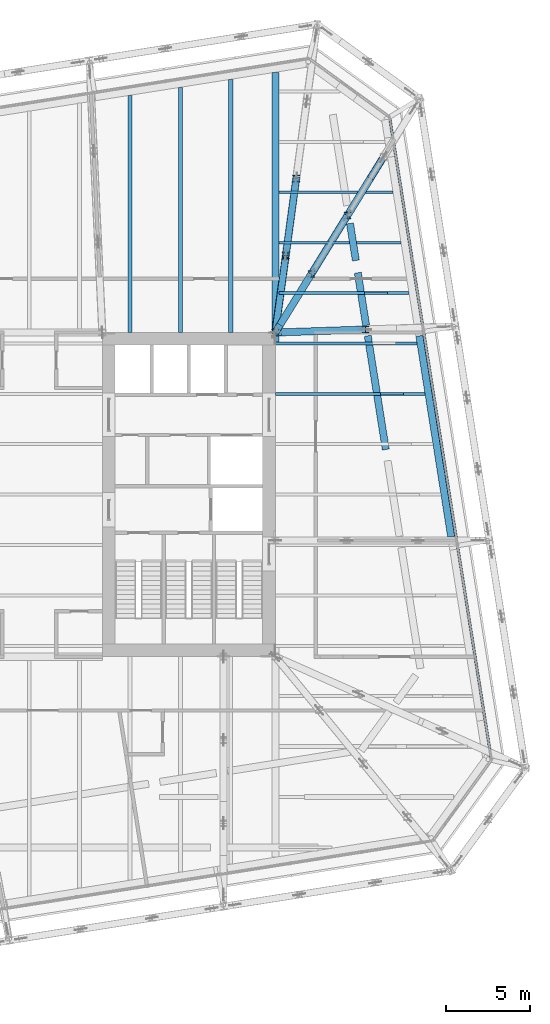
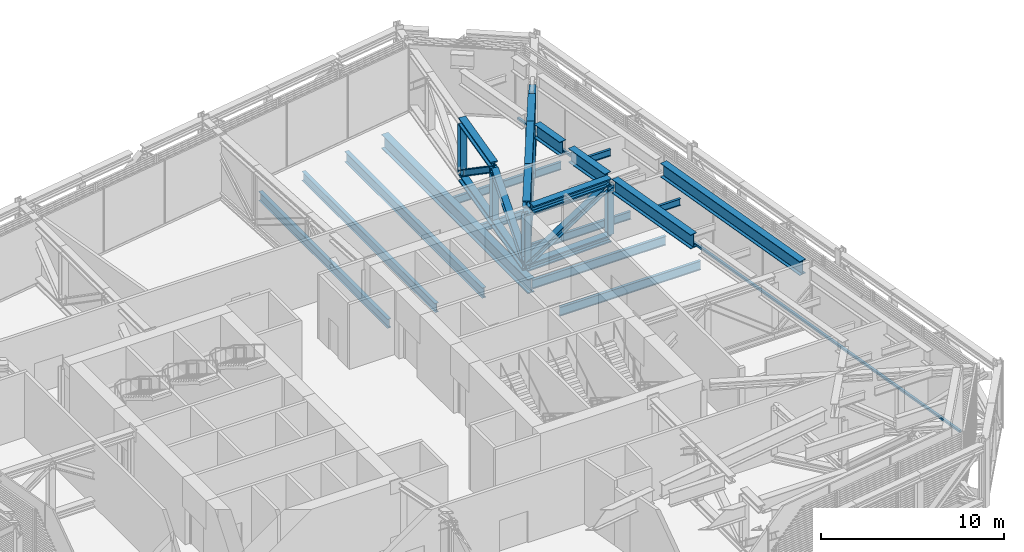
# One storey, part 16 of 31: 26 beams, 13 members, 1 element without a shape of its own.
"""IFC4 building model written with IfcOpenShell, lengths in metres."""

from ifc_helpers import new_model, si_unit, direction, frame, origin, origin_2d, place, context, subcontext, project, spatial, rectangle, i_section, extrude, material, layer, layer_set, material_profile, profile_set, type_object, element, aggregate, save


model = new_model("IFC4")

# Units and contexts
model_context = context("Model", 3, precision=1e-05, world=origin(), true_north=direction((0.0, 1.0)))
body_context = subcontext(model_context, "Body", "Model", "MODEL_VIEW")
ifc_project = project(units=[si_unit("LENGTHUNIT", "METRE"), si_unit("AREAUNIT", "SQUARE_METRE"), si_unit("VOLUMEUNIT", "CUBIC_METRE"), si_unit("PLANEANGLEUNIT", "RADIAN"), si_unit("MASSUNIT", "GRAM", prefix="KILO")], contexts=[model_context])

# Site, building, storey
site_placement = place(None, origin())
site = spatial("IfcSite", under=ifc_project, at=site_placement, CompositionType="ELEMENT")
building_placement = place(site_placement, origin())
building = spatial("IfcBuilding", under=site, at=building_placement, Name="Millrace Tower", CompositionType="ELEMENT")
storey_placement = place(building_placement, frame((0.0, 0.0, 195.60009765625)))
storey = spatial("IfcBuildingStorey", under=building, at=storey_placement, Name="L44", CompositionType="ELEMENT", Elevation=195.60009765625)

# Curtain wall, member
ifc_material_1 = material(Name="Aluminium and glass", Category="aluminium")
ifc_layer = layer(ifc_material_1, 0.14990234375)
ifc_layer_set = layer_set([ifc_layer], Name="Aluminium and glass")
curtain_wall_type = type_object("IfcCurtainWallType", Name="CW-5 truss and plant storey louvred infill", PredefinedType="NOTDEFINED", material=ifc_layer_set)
curtain_wall_placement = place(storey_placement, origin())
curtain_wall = element("IfcCurtainWall", 1, at=curtain_wall_placement, inside=storey, type_object=curtain_wall_type, Name="Curtain wall C-F04 L44", PredefinedType="NOTDEFINED")
ifc_material_2 = material(Name="Aluminium", Category="aluminium")
ifc_material_profile_1 = material_profile(ifc_material_2, rectangle(XDim=0.14990234375, YDim=0.139892578125, at=origin_2d()))
ifc_profile_set_1 = profile_set([ifc_material_profile_1], Name="Aluminium")
member_type_1 = type_object("IfcMemberType", Name="CW-5 truss and plant storey louvred infill transom", PredefinedType="USERDEFINED", material=ifc_profile_set_1)
member_1_placement = place(storey_placement, frame((27.49609375, -15.675048828125, 0.06982421875), z_axis=(-0.156434402447, 0.987688350509, 0.0), x_axis=(-0.987688350509, -0.156434402447, 0.0)))
member_1 = element("IfcMember", 2, at=member_1_placement, type_object=member_type_1, Name="CW5 transom C-F04.1", ObjectType="TRANSOM", PredefinedType="USERDEFINED", context=body_context, shape_type="SweptSolid", body=[
    extrude(rectangle(XDim=0.14990234375, YDim=0.139892578125, at=origin_2d()), origin(), (0.0, 0.0, 1.0), 38.499755859375),
])
aggregate(curtain_wall, [member_1])

# Beams
ifc_material_3 = material(Name="Steel ASTM A992 Grade 50", Category="steel")
ifc_material_profile_2 = material_profile(ifc_material_3, i_section(OverallWidth=0.15234375, OverallDepth=0.449462890625, WebThickness=0.007568359375, FlangeThickness=0.0107421875, FilletRadius=0.01025390625, at=origin_2d()))
ifc_profile_set_2 = profile_set([ifc_material_profile_2], Name="Steel ASTM A992 Grade 50")
beam_type_1 = type_object("IfcBeamType", Name="Floor beam W18x35", PredefinedType="JOIST", material=ifc_profile_set_2)
for number, where, z_axis, x_axis, name in (
    (3, (20.91552734375, 6.0, 4.115234375), (1.0, 0.0, 0.0), (0.0, 1.0, 0.0), "BM-C-L44-R1-S012"),
    (4, (19.96533203125, 12.0, 4.115234375), (1.0, 0.0, 0.0), (0.0, 1.0, 0.0), "BM-C-L44-R1-S014"),
):
    element("IfcBeam", number, at=place(storey_placement, frame(where, z_axis=z_axis, x_axis=x_axis)), inside=storey, type_object=beam_type_1, Name=name, PredefinedType="JOIST", context=body_context, shape_type="SweptSolid", body=[
        extrude(i_section(OverallWidth=0.15234375, OverallDepth=0.449462890625, WebThickness=0.007568359375, FlangeThickness=0.0107421875, FilletRadius=0.01025390625, at=origin_2d()), origin(), (0.0, 0.0, 1.0), 1.3701171875),
    ])
ifc_material_4 = material(Name="Steel ASTM A992 Grade 50", Category="steel")
ifc_material_profile_3 = material_profile(ifc_material_4, i_section(OverallWidth=0.1650390625, OverallDepth=0.52587890625, WebThickness=0.0087890625, FlangeThickness=0.011474609375, FilletRadius=0.0126953125, at=origin_2d()))
ifc_profile_set_3 = profile_set([ifc_material_profile_3], Name="Steel ASTM A992 Grade 50")
beam_type_2 = type_object("IfcBeamType", Name="Floor beam W21x44", PredefinedType="JOIST", material=ifc_profile_set_3)
beam_1_placement = place(storey_placement, frame((14.862060546875, 12.0, -0.512939453125), z_axis=(1.0, 0.0, 0.0), x_axis=(0.0, 1.0, 0.0)))
element("IfcBeam", 5, at=beam_1_placement, inside=storey, type_object=beam_type_2, Name="BM-C-L44-S1-S032", PredefinedType="JOIST", context=body_context, shape_type="SweptSolid", body=[
    extrude(i_section(OverallWidth=0.1650390625, OverallDepth=0.52587890625, WebThickness=0.0087890625, FlangeThickness=0.011474609375, FilletRadius=0.0126953125, at=origin_2d()), origin(), (0.0, 0.0, 1.0), 7.748046875),
])
beam_2_placement = place(storey_placement, frame((14.862060546875, 15.0, -0.512939453125), z_axis=(1.0, 0.0, 0.0), x_axis=(0.0, 1.0, 0.0)))
element("IfcBeam", 6, at=beam_2_placement, inside=storey, type_object=beam_type_2, Name="BM-C-L44-S1-S034", PredefinedType="JOIST", context=body_context, shape_type="SweptSolid", body=[
    extrude(i_section(OverallWidth=0.1650390625, OverallDepth=0.52587890625, WebThickness=0.0087890625, FlangeThickness=0.011474609375, FilletRadius=0.0126953125, at=origin_2d()), origin(), (0.0, 0.0, 1.0), 7.272705078125),
])
beam_3_placement = place(storey_placement, frame((14.862060546875, 18.0, -0.512939453125), z_axis=(1.0, 0.0, 0.0), x_axis=(0.0, 1.0, 0.0)))
element("IfcBeam", 7, at=beam_3_placement, inside=storey, type_object=beam_type_2, Name="BM-C-L44-S1-S036", PredefinedType="JOIST", context=body_context, shape_type="SweptSolid", body=[
    extrude(i_section(OverallWidth=0.1650390625, OverallDepth=0.52587890625, WebThickness=0.0087890625, FlangeThickness=0.011474609375, FilletRadius=0.0126953125, at=origin_2d()), origin(), (0.0, 0.0, 1.0), 6.797607421875),
])
ifc_material_5 = material(Name="Steel ASTM A992 Grade 50", Category="steel")
ifc_material_profile_4 = material_profile(ifc_material_5, i_section(OverallWidth=0.177978515625, OverallDepth=0.599365234375, WebThickness=0.010009765625, FlangeThickness=0.012939453125, FilletRadius=0.012939453125, at=origin_2d()))
ifc_profile_set_4 = profile_set([ifc_material_profile_4], Name="Steel ASTM A992 Grade 50")
beam_type_3 = type_object("IfcBeamType", Name="Floor beam W24x55", PredefinedType="JOIST", material=ifc_profile_set_4)
beam_4_placement = place(storey_placement, frame((14.64990234375, 6.0, -0.5498046875), z_axis=(1.0, 0.0, 0.0), x_axis=(0.0, 1.0, 0.0)))
element("IfcBeam", 8, at=beam_4_placement, inside=storey, type_object=beam_type_3, Name="BM-C-L44-S1-S027", PredefinedType="JOIST", context=body_context, shape_type="SweptSolid", body=[
    extrude(i_section(OverallWidth=0.177978515625, OverallDepth=0.599365234375, WebThickness=0.010009765625, FlangeThickness=0.012939453125, FilletRadius=0.012939453125, at=origin_2d()), origin(), (0.0, 0.0, 1.0), 8.910400390625),
])
beam_5_placement = place(storey_placement, frame((14.64990234375, 9.0, -0.5498046875), z_axis=(1.0, 0.0, 0.0), x_axis=(0.0, 1.0, 0.0)))
element("IfcBeam", 9, at=beam_5_placement, inside=storey, type_object=beam_type_3, Name="BM-C-L44-S1-S030", PredefinedType="JOIST", context=body_context, shape_type="SweptSolid", body=[
    extrude(i_section(OverallWidth=0.177978515625, OverallDepth=0.599365234375, WebThickness=0.010009765625, FlangeThickness=0.012939453125, FilletRadius=0.012939453125, at=origin_2d()), origin(), (0.0, 0.0, 1.0), 8.435302734375),
])
ifc_material_6 = material(Name="Steel ASTM A992 Grade 50", Category="steel")
ifc_material_profile_5 = material_profile(ifc_material_6, i_section(OverallWidth=0.228271484375, OverallDepth=0.607177734375, WebThickness=0.01123046875, FlangeThickness=0.017333984375, FilletRadius=0.0126953125, at=origin_2d()))
ifc_profile_set_5 = profile_set([ifc_material_profile_5], Name="Steel ASTM A992 Grade 50")
beam_type_4 = type_object("IfcBeamType", Name="Floor beam W24x76", PredefinedType="JOIST", material=ifc_profile_set_5)
beam_6_placement = place(storey_placement, frame((6.0, 9.64990234375, -0.5537109375), z_axis=(0.0, 1.0, 0.0), x_axis=(-1.0, 0.0, 0.0)))
element("IfcBeam", 10, at=beam_6_placement, inside=storey, type_object=beam_type_4, Name="BM-C-L44-S1-S051", PredefinedType="JOIST", context=body_context, shape_type="SweptSolid", body=[
    extrude(i_section(OverallWidth=0.228271484375, OverallDepth=0.607177734375, WebThickness=0.01123046875, FlangeThickness=0.017333984375, FilletRadius=0.0126953125, at=origin_2d()), origin(), (0.0, 0.0, 1.0), 14.12646484375),
])
beam_7_placement = place(storey_placement, frame((9.0, 9.64990234375, -0.5537109375), z_axis=(0.0, 1.0, 0.0), x_axis=(-1.0, 0.0, 0.0)))
element("IfcBeam", 11, at=beam_7_placement, inside=storey, type_object=beam_type_4, Name="BM-C-L44-S1-S053", PredefinedType="JOIST", context=body_context, shape_type="SweptSolid", body=[
    extrude(i_section(OverallWidth=0.228271484375, OverallDepth=0.607177734375, WebThickness=0.01123046875, FlangeThickness=0.017333984375, FilletRadius=0.0126953125, at=origin_2d()), origin(), (0.0, 0.0, 1.0), 14.6015625),
])
ifc_material_7 = material(Name="Steel ASTM A992 Grade 50", Category="steel")
ifc_material_profile_6 = material_profile(ifc_material_7, i_section(OverallWidth=0.256591796875, OverallDepth=0.693359375, WebThickness=0.014404296875, FlangeThickness=0.023681640625, FilletRadius=0.01513671875, at=origin_2d()))
ifc_profile_set_6 = profile_set([ifc_material_profile_6], Name="Steel ASTM A992 Grade 50")
beam_type_5 = type_object("IfcBeamType", Name="Floor beam W27x114", PredefinedType="JOIST", material=ifc_profile_set_6)
beam_8_placement = place(storey_placement, frame((12.0, 9.64990234375, -0.596923828125), z_axis=(0.0, 1.0, 0.0), x_axis=(-1.0, 0.0, 0.0)))
element("IfcBeam", 12, at=beam_8_placement, inside=storey, type_object=beam_type_5, Name="BM-C-L44-S1-S055", PredefinedType="JOIST", context=body_context, shape_type="SweptSolid", body=[
    extrude(i_section(OverallWidth=0.256591796875, OverallDepth=0.693359375, WebThickness=0.014404296875, FlangeThickness=0.023681640625, FilletRadius=0.01513671875, at=origin_2d()), origin(), (0.0, 0.0, 1.0), 15.07666015625),
])
ifc_material_8 = material(Name="Steel ASTM A992 Grade 50", Category="steel")
ifc_material_profile_7 = material_profile(ifc_material_8, i_section(OverallWidth=0.424072265625, OverallDepth=0.947509765625, WebThickness=0.02392578125, FlangeThickness=0.042724609375, FilletRadius=0.024169921875, at=origin_2d()))
ifc_profile_set_7 = profile_set([ifc_material_profile_7], Name="Steel ASTM A992 Grade 50")
beam_type_6 = type_object("IfcBeamType", Name="Girder medium span W36x302", PredefinedType="BEAM", material=ifc_profile_set_7)
beam_9_placement = place(storey_placement, frame((14.64990234375, 9.090087890625, -0.723876953125), z_axis=(0.0, 1.0, 0.0), x_axis=(-1.0, 0.0, 0.0)))
element("IfcBeam", 13, at=beam_9_placement, inside=storey, type_object=beam_type_6, Name="BM-C-L44-S1-G059", PredefinedType="BEAM", context=body_context, shape_type="SweptSolid", body=[
    extrude(i_section(OverallWidth=0.424072265625, OverallDepth=0.947509765625, WebThickness=0.02392578125, FlangeThickness=0.042724609375, FilletRadius=0.024169921875, at=origin_2d()), origin(), (0.0, 0.0, 1.0), 16.04833984375),
])
ifc_material_9 = material(Name="Steel ASTM A992 Grade 50", Category="steel")
ifc_material_profile_8 = material_profile(ifc_material_9, i_section(OverallWidth=0.4267578125, OverallDepth=0.482666015625, WebThickness=0.05126953125, FlangeThickness=0.08154296875, FilletRadius=0.01513671875, at=origin_2d()))
ifc_profile_set_8 = profile_set([ifc_material_profile_8], Name="Steel ASTM A992 Grade 50")
beam_type_7 = type_object("IfcBeamType", Name="Outrigger truss chord W14x455", PredefinedType="BEAM", material=ifc_profile_set_8)
beam_10_placement = place(storey_placement, frame((14.64990234375, 9.64990234375, 0.2412109375), z_axis=(0.999437764817, 0.033528409699, 0.0), x_axis=(-0.033528409699, 0.999437764817, 0.0)))
element("IfcBeam", 14, at=beam_10_placement, inside=storey, type_object=beam_type_7, Name="BLT-L44-O08-B01", PredefinedType="BEAM", context=body_context, shape_type="SweptSolid", body=[
    extrude(i_section(OverallWidth=0.4267578125, OverallDepth=0.482666015625, WebThickness=0.05126953125, FlangeThickness=0.08154296875, FilletRadius=0.01513671875, at=origin_2d()), origin(), (0.0, 0.0, 1.0), 5.366455078125),
])
beam_11_placement = place(storey_placement, frame((14.64990234375, 9.64990234375, 0.2412109375), z_axis=(0.524717062328, 0.851276690919, 0.0), x_axis=(-0.851276690919, 0.524717062328, 0.0)))
element("IfcBeam", 15, at=beam_11_placement, inside=storey, type_object=beam_type_7, Name="BLT-L44-O09-B01", PredefinedType="BEAM", context=body_context, shape_type="SweptSolid", body=[
    extrude(i_section(OverallWidth=0.4267578125, OverallDepth=0.482666015625, WebThickness=0.05126953125, FlangeThickness=0.08154296875, FilletRadius=0.01513671875, at=origin_2d()), origin(), (0.0, 0.0, 1.0), 4.087890625),
])
for number, where, z_axis, x_axis, name in (
    (16, (16.794921875, 13.1298828125, 0.2412109375), (0.524700458603, 0.851286925039, 0.0), (-0.851286925039, 0.524700458603, 0.0), "BLT-L44-O09-B02"),
    (17, (16.794921875, 13.1298828125, 3.99853515625), (0.524700458603, 0.851286925039, 0.0), (-0.851286925039, 0.524700458603, 0.0), "BLT-L44-O09-T02"),
    (18, (18.939697265625, 16.609619140625, 0.2412109375), (0.524700458603, 0.851286925039, 0.0), (-0.851286925039, 0.524700458603, 0.0), "BLT-L44-O09-B03"),
):
    element("IfcBeam", number, at=place(storey_placement, frame(where, z_axis=z_axis, x_axis=x_axis)), inside=storey, type_object=beam_type_7, Name=name, PredefinedType="BEAM", context=body_context, shape_type="SweptSolid", body=[
        extrude(i_section(OverallWidth=0.4267578125, OverallDepth=0.482666015625, WebThickness=0.05126953125, FlangeThickness=0.08154296875, FilletRadius=0.01513671875, at=origin_2d()), origin(), (0.0, 0.0, 1.0), 4.087646484375),
    ])
for number, where, z_axis, x_axis, name in (
    (19, (14.64990234375, 9.64990234375, 0.2412109375), (0.134578783471, 0.990902896877, 0.0), (-0.990902896877, 0.134578783471, 0.0), "BLT-L44-O10-B01"),
    (20, (15.272705078125, 14.235595703125, 0.2412109375), (0.134578783471, 0.990902896877, 0.0), (-0.990902896877, 0.134578783471, 0.0), "BLT-L44-O10-B02"),
    (21, (15.272705078125, 14.235595703125, 3.99853515625), (0.134578783471, 0.990902896877, 0.0), (-0.990902896877, 0.134578783471, 0.0), "BLT-L44-O10-T02"),
):
    element("IfcBeam", number, at=place(storey_placement, frame(where, z_axis=z_axis, x_axis=x_axis)), inside=storey, type_object=beam_type_7, Name=name, PredefinedType="BEAM", context=body_context, shape_type="SweptSolid", body=[
        extrude(i_section(OverallWidth=0.4267578125, OverallDepth=0.482666015625, WebThickness=0.05126953125, FlangeThickness=0.08154296875, FilletRadius=0.01513671875, at=origin_2d()), origin(), (0.0, 0.0, 1.0), 4.627685546875),
    ])
beam_12_placement = place(storey_placement, frame((15.001708984375, 9.661865234375, 3.99853515625), z_axis=(0.999438838433, 0.033496391311, 0.0), x_axis=(-0.033496391311, 0.999438838433, 0.0)))
element("IfcBeam", 22, at=beam_12_placement, inside=storey, type_object=beam_type_7, Name="BLT-L44-O08-T01", PredefinedType="BEAM", context=body_context, shape_type="SweptSolid", body=[
    extrude(i_section(OverallWidth=0.4267578125, OverallDepth=0.482666015625, WebThickness=0.05126953125, FlangeThickness=0.08154296875, FilletRadius=0.01513671875, at=origin_2d()), origin(), (0.0, 0.0, 1.0), 5.0146484375),
])
beam_13_placement = place(storey_placement, frame((14.931640625, 10.10693359375, 3.99853515625), z_axis=(0.524711036388, 0.851280405209, 0.0), x_axis=(-0.851280405209, 0.524711036388, 0.0)))
element("IfcBeam", 23, at=beam_13_placement, inside=storey, type_object=beam_type_7, Name="BLT-L44-O09-T01", PredefinedType="BEAM", context=body_context, shape_type="SweptSolid", body=[
    extrude(i_section(OverallWidth=0.4267578125, OverallDepth=0.482666015625, WebThickness=0.05126953125, FlangeThickness=0.08154296875, FilletRadius=0.01513671875, at=origin_2d()), origin(), (0.0, 0.0, 1.0), 3.551025390625),
])
beam_14_placement = place(storey_placement, frame((18.939697265625, 16.609619140625, 3.99853515625), z_axis=(0.524707959416, 0.851282301781, 0.0), x_axis=(-0.851282301781, 0.524707959416, 0.0)))
element("IfcBeam", 24, at=beam_14_placement, inside=storey, type_object=beam_type_7, Name="BLT-L44-O09-T03", PredefinedType="BEAM", context=body_context, shape_type="SweptSolid", body=[
    extrude(i_section(OverallWidth=0.4267578125, OverallDepth=0.482666015625, WebThickness=0.05126953125, FlangeThickness=0.08154296875, FilletRadius=0.01513671875, at=origin_2d()), origin(), (0.0, 0.0, 1.0), 2.60986328125),
])

# Members
ifc_material_10 = material(Name="Steel ASTM A992 Grade 50", Category="steel")
ifc_material_profile_9 = material_profile(ifc_material_10, i_section(OverallWidth=0.398681640625, OverallDepth=0.393798828125, WebThickness=0.022705078125, FlangeThickness=0.03662109375, FilletRadius=0.01513671875, at=origin_2d()))
ifc_profile_set_9 = profile_set([ifc_material_profile_9], Name="Steel ASTM A992 Grade 50")
member_type_2 = type_object("IfcMemberType", Name="Outrigger truss diagonal W14x193", PredefinedType="BRACE", material=ifc_profile_set_9)
member_2_placement = place(storey_placement, frame((14.64990234375, 9.64990234375, 0.482421875), z_axis=(0.853130936211, 0.028620214848, 0.520911210266), x_axis=(-0.033528409699, 0.999437764817, 0.0)))
element("IfcMember", 25, at=member_2_placement, inside=storey, type_object=member_type_2, Name="BLT-L44-O08-D01", PredefinedType="BRACE", context=body_context, shape_type="SweptSolid", body=[
    extrude(i_section(OverallWidth=0.398681640625, OverallDepth=0.393798828125, WebThickness=0.022705078125, FlangeThickness=0.03662109375, FilletRadius=0.01513671875, at=origin_2d()), origin(), (0.0, 0.0, 1.0), 6.286865234375),
])
member_3_placement = place(storey_placement, frame((14.64990234375, 9.64990234375, 0.482421875), z_axis=(0.40951330715, 0.664375447316, 0.625223253143), x_axis=(-0.851276690919, 0.524717062328, 0.0)))
element("IfcMember", 26, at=member_3_placement, inside=storey, type_object=member_type_2, Name="BLT-L44-O09-D01", PredefinedType="BRACE", context=body_context, shape_type="SweptSolid", body=[
    extrude(i_section(OverallWidth=0.398681640625, OverallDepth=0.393798828125, WebThickness=0.022705078125, FlangeThickness=0.03662109375, FilletRadius=0.01513671875, at=origin_2d()), origin(), (0.0, 0.0, 1.0), 5.238037109375),
])
for number, where, z_axis, x_axis, name in (
    (27, (18.939697265625, 16.609619140625, 0.482421875), (-0.409487193364, -0.664362090725, 0.625254548866), (0.851286925039, -0.524700458603, 0.0), "BLT-L44-O09-D02"),
    (28, (18.939697265625, 16.609619140625, 0.482421875), (0.409487193364, 0.664362090725, 0.625254548866), (-0.851286925039, 0.524700458603, 0.0), "BLT-L44-O09-D03"),
):
    element("IfcMember", number, at=place(storey_placement, frame(where, z_axis=z_axis, x_axis=x_axis)), inside=storey, type_object=member_type_2, Name=name, PredefinedType="BRACE", context=body_context, shape_type="SweptSolid", body=[
        extrude(i_section(OverallWidth=0.398681640625, OverallDepth=0.393798828125, WebThickness=0.022705078125, FlangeThickness=0.03662109375, FilletRadius=0.01513671875, at=origin_2d()), origin(), (0.0, 0.0, 1.0), 5.23779296875),
    ])
for number, where, z_axis, x_axis, name in (
    (29, (14.64990234375, 9.64990234375, 0.482421875), (0.109854477605, 0.808857958779, 0.577651102543), (-0.990902896877, 0.134578783471, 0.0), "BLT-L44-O10-D01"),
    (30, (15.8955078125, 18.8212890625, 0.482421875), (-0.109854477605, -0.808857958779, 0.577651102543), (0.990902896877, -0.134578783471, 0.0), "BLT-L44-O10-D02"),
):
    element("IfcMember", number, at=place(storey_placement, frame(where, z_axis=z_axis, x_axis=x_axis)), inside=storey, type_object=member_type_2, Name=name, PredefinedType="BRACE", context=body_context, shape_type="SweptSolid", body=[
        extrude(i_section(OverallWidth=0.398681640625, OverallDepth=0.393798828125, WebThickness=0.022705078125, FlangeThickness=0.03662109375, FilletRadius=0.01513671875, at=origin_2d()), origin(), (0.0, 0.0, 1.0), 5.66943359375),
    ])
ifc_material_11 = material(Name="Steel ASTM A992 Grade 50", Category="steel")
ifc_material_profile_10 = material_profile(ifc_material_11, i_section(OverallWidth=0.396240234375, OverallDepth=0.381103515625, WebThickness=0.018798828125, FlangeThickness=0.0302734375, FilletRadius=0.01513671875, at=origin_2d()))
ifc_profile_set_10 = profile_set([ifc_material_profile_10], Name="Steel ASTM A992 Grade 50")
member_type_3 = type_object("IfcMemberType", Name="Outrigger truss post W14x159", PredefinedType="POST", material=ifc_profile_set_10)
for number, where, z_axis, x_axis, name in (
    (31, (14.64990234375, 9.64990234375, 0.482421875), (0.0, 0.0, 1.0), (1.0, 0.0, 0.0), "BLT-L44-O08-V00"),
    (32, (20.013427734375, 9.829833984375, 0.482421875), (0.0, 0.0, 1.0), (1.0, 0.0, 0.0), "BLT-L44-O08-V01"),
    (33, (16.794921875, 13.1298828125, 0.482421875), (0.0, 0.0, 1.0), (1.0, 0.0, 0.0), "BLT-L44-O09-V01"),
    (34, (18.939697265625, 16.609619140625, 0.482421875), (0.0, 0.0, 1.0), (1.0, 0.0, 0.0), "BLT-L44-O09-V02"),
    (35, (15.272705078125, 14.235595703125, 0.482421875), (0.0, 0.0, 1.0), (1.0, 0.0, 0.0), "BLT-L44-O10-V01"),
    (36, (15.8955078125, 18.8212890625, 0.482421875), (0.0, 0.0, 1.0), (1.0, 0.0, 0.0), "BLT-L44-O10-V02"),
):
    element("IfcMember", number, at=place(storey_placement, frame(where, z_axis=z_axis, x_axis=x_axis)), inside=storey, type_object=member_type_3, Name=name, PredefinedType="POST", context=body_context, shape_type="SweptSolid", body=[
        extrude(i_section(OverallWidth=0.396240234375, OverallDepth=0.381103515625, WebThickness=0.018798828125, FlangeThickness=0.0302734375, FilletRadius=0.01513671875, at=origin_2d()), origin(), (0.0, 0.0, 1.0), 3.27490234375),
    ])

# Beams
ifc_material_12 = material(Name="Steel ASTM A992 Grade 50", Category="steel")
ifc_material_profile_11 = material_profile(ifc_material_12, i_section(OverallWidth=0.421630859375, OverallDepth=0.937255859375, WebThickness=0.021240234375, FlangeThickness=0.03662109375, FilletRadius=0.024169921875, at=origin_2d()))
ifc_profile_set_11 = profile_set([ifc_material_profile_11], Name="Steel ASTM A992 Grade 50")
beam_type_8 = type_object("IfcBeamType", Name="Ring beam medium span W36x262", PredefinedType="SPANDREL", material=ifc_profile_set_11)
beam_15_placement = place(storey_placement, frame((23.2265625, 9.454345703125, 3.871337890625), z_axis=(0.156435521475, -0.987688173272, 0.0), x_axis=(0.987688173272, 0.156435521475, 0.0)))
element("IfcBeam", 37, at=beam_15_placement, inside=storey, type_object=beam_type_8, Name="RNG-C-L44-R1-02", PredefinedType="SPANDREL", context=body_context, shape_type="SweptSolid", body=[
    extrude(i_section(OverallWidth=0.421630859375, OverallDepth=0.937255859375, WebThickness=0.021240234375, FlangeThickness=0.03662109375, FilletRadius=0.024169921875, at=origin_2d()), origin(), (0.0, 0.0, 1.0), 12.11376953125),
])
ifc_material_13 = material(Name="Steel ASTM A992 Grade 50", Category="steel")
ifc_material_profile_12 = material_profile(ifc_material_13, i_section(OverallWidth=0.421630859375, OverallDepth=0.937255859375, WebThickness=0.021240234375, FlangeThickness=0.03662109375, FilletRadius=0.024169921875, at=origin_2d()))
ifc_profile_set_12 = profile_set([ifc_material_profile_12], Name="Steel ASTM A992 Grade 50")
beam_type_9 = type_object("IfcBeamType", Name="Ring beam short span W36x262", PredefinedType="SPANDREL", material=ifc_profile_set_12)
beam_16_placement = place(storey_placement, frame((21.2275390625, 2.68359375, 3.871337890625), z_axis=(-0.156452681104, 0.987685455282, 0.0), x_axis=(-0.987685455282, -0.156452681104, 0.0)))
element("IfcBeam", 38, at=beam_16_placement, inside=storey, type_object=beam_type_9, Name="RNG-C-L44-R1-13-b-a-b", PredefinedType="SPANDREL", context=body_context, shape_type="SweptSolid", body=[
    extrude(i_section(OverallWidth=0.421630859375, OverallDepth=0.937255859375, WebThickness=0.021240234375, FlangeThickness=0.03662109375, FilletRadius=0.024169921875, at=origin_2d()), origin(), (0.0, 0.0, 1.0), 6.855224609375),
])
beam_17_placement = place(storey_placement, frame((20.056884765625, 10.07470703125, 3.871337890625), z_axis=(-0.156429030179, 0.987689201377, 0.0), x_axis=(-0.987689201377, -0.156429030179, 0.0)))
element("IfcBeam", 39, at=beam_17_placement, inside=storey, type_object=beam_type_9, Name="RNG-C-L44-R1-13-b-b-a-a", PredefinedType="SPANDREL", context=body_context, shape_type="SweptSolid", body=[
    extrude(i_section(OverallWidth=0.421630859375, OverallDepth=0.937255859375, WebThickness=0.021240234375, FlangeThickness=0.03662109375, FilletRadius=0.024169921875, at=origin_2d()), origin(), (0.0, 0.0, 1.0), 3.17138671875),
])
beam_18_placement = place(storey_placement, frame((19.445068359375, 13.937255859375, 3.871337890625), z_axis=(-0.156417211774, 0.98769107309, 0.0), x_axis=(-0.98769107309, -0.156417211774, 0.0)))
element("IfcBeam", 40, at=beam_18_placement, inside=storey, type_object=beam_type_9, Name="RNG-C-L44-R1-13-b-b-a-b", PredefinedType="SPANDREL", context=body_context, shape_type="SweptSolid", body=[
    extrude(i_section(OverallWidth=0.421630859375, OverallDepth=0.937255859375, WebThickness=0.021240234375, FlangeThickness=0.03662109375, FilletRadius=0.024169921875, at=origin_2d()), origin(), (0.0, 0.0, 1.0), 2.233642578125),
])

save(model, "model.ifc")
